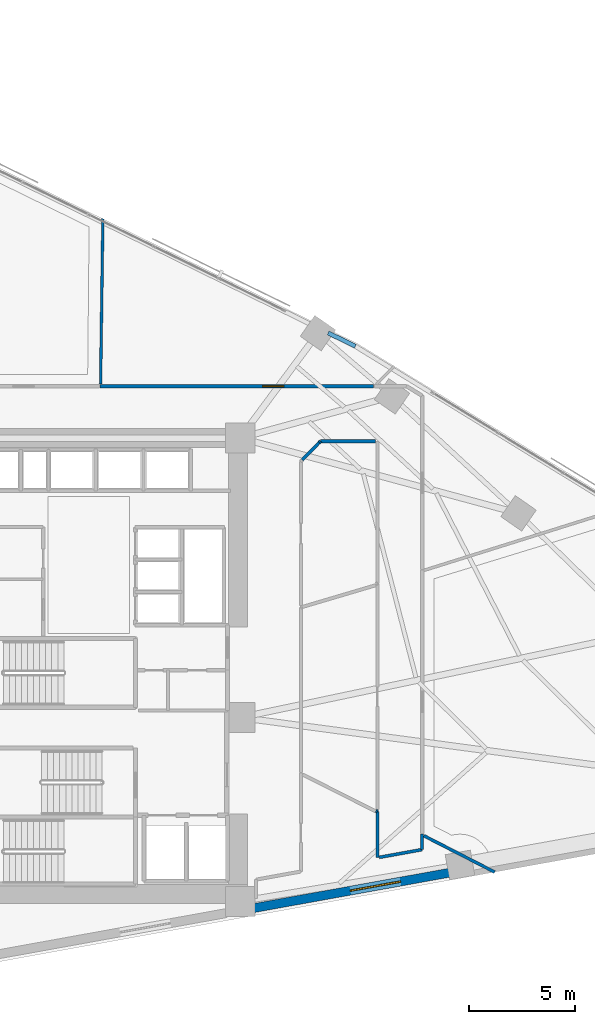
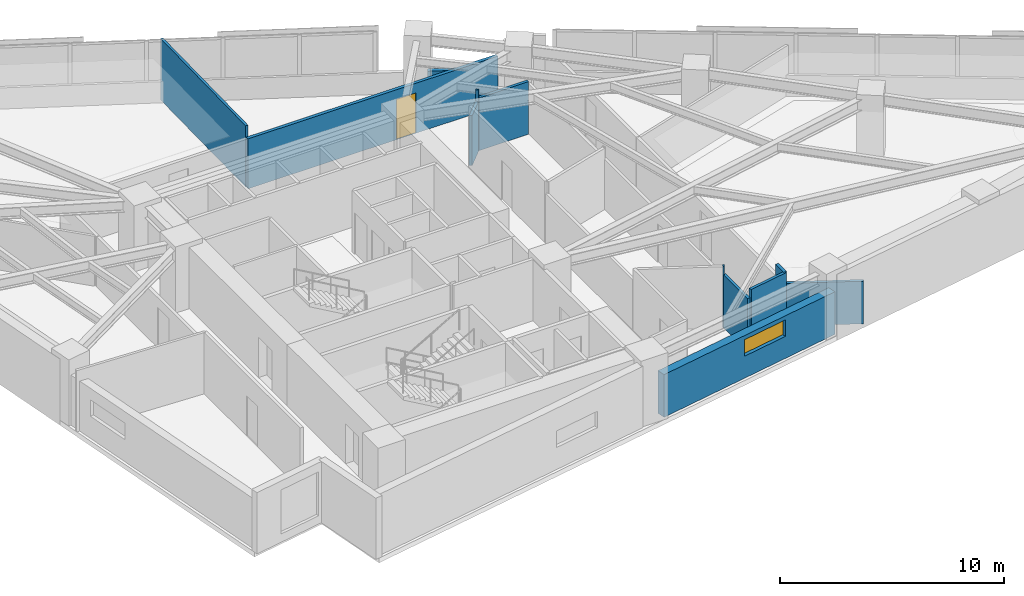
# One storey, part 15 of 19: 12 walls, 1 door, 1 window, 2 openings.
"""IFC4 building model written with IfcOpenShell, lengths in metres."""

from ifc_helpers import new_model, si_unit, direction, frame, frame_2d, origin, place, context, subcontext, project, spatial, rectangle, extrude, material, layer, layer_set, type_object, element, fill, save


model = new_model("IFC4")

# Units and contexts
model_context = context("Model", 3, precision=1e-05, world=origin(), true_north=direction((0.0, 1.0)))
body_context = subcontext(model_context, "Body", "Model", "MODEL_VIEW")
ifc_project = project(units=[si_unit("LENGTHUNIT", "METRE"), si_unit("AREAUNIT", "SQUARE_METRE"), si_unit("VOLUMEUNIT", "CUBIC_METRE"), si_unit("PLANEANGLEUNIT", "RADIAN"), si_unit("MASSUNIT", "GRAM", prefix="KILO")], contexts=[model_context])

# Site, building, storey
site_placement = place(None, origin())
site = spatial("IfcSite", under=ifc_project, at=site_placement, CompositionType="ELEMENT")
building_placement = place(site_placement, origin())
building = spatial("IfcBuilding", under=site, at=building_placement, Name="Narakoshi Arena Tower", CompositionType="ELEMENT")
storey_placement = place(building_placement, frame((0.0, 0.0, 117.300048828125)))
storey = spatial("IfcBuildingStorey", under=building, at=storey_placement, Name="L31", CompositionType="ELEMENT", Elevation=117.300048828125)

# Wall, opening, door
ifc_material_1 = material(Name="Gypsum plasterboard fire-rated partition")
ifc_layer_1 = layer(ifc_material_1, 0.1650390625)
ifc_layer_set_1 = layer_set([ifc_layer_1], Name="Gypsum plasterboard fire-rated partition")
wall_type_1 = type_object("IfcWallType", Name="WL-CORR-165", PredefinedType="PARTITIONING", material=ifc_layer_set_1)
wall_1_placement = place(storey_placement, frame((91.827880859375, 58.944091796875, 0.0), z_axis=(0.0, 0.0, 1.0), x_axis=(-1.0, 0.0, 0.0)))
wall_1 = element("IfcWall", 1, at=wall_1_placement, inside=storey, type_object=wall_type_1, Name="L31 Corridor Partition 07-1", PredefinedType="PARTITIONING", context=body_context, shape_type="SweptSolid", body=[
    extrude(rectangle(XDim=12.8876953125, YDim=0.1650390625, at=frame_2d((6.44384765625, 0.0))), origin(), (0.0, 0.0, 1.0), 2.724853515625),
])
opening_1_placement = place(wall_1_placement, frame((4.220703125, 0.0, 0.0)))
opening_1 = element("IfcOpeningElement", 2, at=opening_1_placement, cuts=wall_1, Name="Opening D-06", PredefinedType="OPENING", context=body_context, shape_type="SweptSolid", body=[
    extrude(rectangle(XDim=1.0, YDim=2.199951171875, at=frame_2d((0.5, 1.10009765625))), frame((0.0, 0.092529296875, 0.0), z_axis=(0.0, -1.0, 0.0), x_axis=(1.0, 0.0, 0.0)), (0.0, 0.0, 1.0), 0.18505859375),
])
ifc_material_2 = material(Name="Stained oak solid-core timber", Category="wood")
door_type = type_object("IfcDoorType", Name="DR-OFF-1000", OperationType="NOTDEFINED", PredefinedType="DOOR", material=ifc_material_2)
door_placement = place(opening_1_placement, frame((1.0, 0.0, 0.0), z_axis=(0.0, 0.0, 1.0), x_axis=(-1.0, 0.0, 0.0)))
door = element("IfcDoor", 3, at=door_placement, inside=storey, type_object=door_type, Name="DR-L31-021", OperationType="SINGLE_SWING_LEFT", OverallHeight=2.199951171875, OverallWidth=1.0, PredefinedType="DOOR", context=body_context, shape_type="SweptSolid", body=[
    extrude(rectangle(XDim=1.0, YDim=2.199951171875, at=frame_2d((0.5, 1.10009765625))), frame((0.0, 0.02490234375, 0.0), z_axis=(0.0, -1.0, 0.0), x_axis=(1.0, 0.0, 0.0)), (0.0, 0.0, 1.0), 0.050048828125),
])
fill(opening_1, door)

# Walls
ifc_material_3 = material(Name="Precast concrete C45/55", Category="concrete")
ifc_layer_2 = layer(ifc_material_3, 0.25)
ifc_layer_set_2 = layer_set([ifc_layer_2], Name="Precast concrete C45/55")
wall_type_2 = type_object("IfcWallType", Name="WL-PARA-250", PredefinedType="PARAPET", material=ifc_layer_set_2)
wall_2_placement = place(storey_placement, frame((90.96435546875, 60.821533203125, 0.0), z_axis=(0.0, 0.0, 1.0), x_axis=(-0.898000468284, 0.439994498787, 0.0)))
element("IfcWall", 4, at=wall_2_placement, inside=storey, type_object=wall_type_2, Name="L31 Hypotenuse Sill Upstand Parapet 2-01", PredefinedType="PARAPET", context=body_context, shape_type="SweptSolid", body=[
    extrude(rectangle(XDim=1.42333984375, YDim=0.199951171875, at=frame_2d((0.711669921875, 0.0))), origin(), (0.0, 0.0, 1.0), 1.14990234375),
])
ifc_layer_3 = layer(ifc_material_1, 0.125)
ifc_layer_set_3 = layer_set([ifc_layer_3], Name="Gypsum plasterboard fire-rated partition")
wall_type_3 = type_object("IfcWallType", Name="WL-PART-125", PredefinedType="PARTITIONING", material=ifc_layer_set_3)
wall_3_placement = place(storey_placement, frame((78.977294921875, 59.03857421875, 0.0), z_axis=(0.0, 0.0, 1.0), x_axis=(0.013992104015, 0.999902105721, 0.0)))
element("IfcWall", 5, at=wall_3_placement, inside=storey, type_object=wall_type_3, Name="L31 Inter-Room Partition 07-08", PredefinedType="PARTITIONING", context=body_context, shape_type="SweptSolid", body=[
    extrude(rectangle(XDim=7.781982421875, YDim=0.125, at=frame_2d((3.89111328125, 0.0))), origin(), (0.0, 0.0, 1.0), 3.33984375),
])

# Wall, opening, window
ifc_layer_4 = layer(ifc_material_3, 0.419921875)
ifc_layer_set_4 = layer_set([ifc_layer_4], Name="Precast concrete C45/55")
wall_type_4 = type_object("IfcWallType", Name="WL-POD-420", PredefinedType="SOLIDWALL", material=ifc_layer_set_4)
wall_4_placement = place(storey_placement, frame((86.10009765625, 34.3671875, 0.0), z_axis=(0.0, 0.0, 1.0), x_axis=(0.9840437071, 0.177926902172, 0.0)))
wall_4 = element("IfcWall", 6, at=wall_4_placement, inside=storey, type_object=wall_type_4, Name="L31 Architectural Concrete Facade Wall LEGA-2", PredefinedType="SOLIDWALL", context=body_context, shape_type="SweptSolid", body=[
    extrude(rectangle(XDim=9.997314453125, YDim=0.419921875, at=frame_2d((4.99853515625, 0.0))), origin(), (0.0, 0.0, 1.0), 2.324951171875),
])
opening_2_placement = place(wall_4_placement, frame((4.702392578125, 0.0, 1.199951171875)))
opening_2 = element("IfcOpeningElement", 7, at=opening_2_placement, cuts=wall_4, Name="Opening WN-01", PredefinedType="OPENING", context=body_context, shape_type="SweptSolid", body=[
    extrude(rectangle(XDim=2.39990234375, YDim=0.89990234375, at=frame_2d((1.199951171875, 0.449951171875))), frame((0.0, 0.219970703125, 0.0), z_axis=(0.0, -1.0, 0.0), x_axis=(1.0, 0.0, 0.0)), (0.0, 0.0, 1.0), 0.43994140625),
])
ifc_material_4 = material(Name="Bronze-tinted low-E laminated glass", Category="glass")
window_type = type_object("IfcWindowType", Name="WIN-SLT-24x09", PartitioningType="SINGLE_PANEL", PredefinedType="WINDOW", material=ifc_material_4)
window_placement = place(opening_2_placement, origin())
window = element("IfcWindow", 8, at=window_placement, inside=storey, type_object=window_type, Name="L31 LEGA2 Horizontal Slot Window 1", OverallHeight=0.89990234375, OverallWidth=2.39990234375, PartitioningType="SINGLE_PANEL", PredefinedType="WINDOW", context=body_context, shape_type="SweptSolid", body=[
    extrude(rectangle(XDim=2.39990234375, YDim=0.89990234375, at=frame_2d((1.199951171875, 0.449951171875))), frame((0.0, 0.030029296875, 0.0), z_axis=(0.0, -1.0, 0.0), x_axis=(1.0, 0.0, 0.0)), (0.0, 0.0, 1.0), 0.06005859375),
])
fill(opening_2, window)

# Walls
ifc_material_5 = material(Name="Moisture-resistant cement-board partition")
ifc_layer_5 = layer(ifc_material_5, 0.14501953125)
ifc_layer_set_5 = layer_set([ifc_layer_5], Name="Moisture-resistant cement-board partition")
wall_type_5 = type_object("IfcWallType", Name="WL-WET-145", PredefinedType="PARTITIONING", material=ifc_layer_set_5)
wall_5_placement = place(storey_placement, frame((92.0048828125, 38.9306640625, 0.0), z_axis=(0.0, 0.0, 1.0), x_axis=(0.0, -1.0, 0.0)))
element("IfcWall", 9, at=wall_5_placement, inside=storey, type_object=wall_type_5, Name="L31 Corridor Partition 02-2", PredefinedType="PARTITIONING", context=body_context, shape_type="SweptSolid", body=[
    extrude(rectangle(XDim=2.174560546875, YDim=0.14501953125, at=frame_2d((1.08740234375, 0.0))), origin(), (0.0, 0.0, 1.0), 2.875),
])
wall_6_placement = place(storey_placement, frame((92.089599609375, 36.771240234375, 0.0), z_axis=(0.0, 0.0, 1.0), x_axis=(0.984035419871, 0.177972729481, 0.0)))
element("IfcWall", 10, at=wall_6_placement, inside=storey, type_object=wall_type_5, Name="L31 Corridor Partition 02-4", PredefinedType="PARTITIONING", context=body_context, shape_type="SweptSolid", body=[
    extrude(rectangle(XDim=2.048095703125, YDim=0.14501953125, at=frame_2d((1.02392578125, 0.0))), origin(), (0.0, 0.0, 1.0), 3.33984375),
])
wall_7_placement = place(storey_placement, frame((94.10498046875, 37.1357421875, 0.0), z_axis=(0.0, 0.0, 1.0), x_axis=(0.0, 1.0, 0.0)))
element("IfcWall", 11, at=wall_7_placement, inside=storey, type_object=wall_type_5, Name="L31 Corridor Partition 02-5", PredefinedType="PARTITIONING", context=body_context, shape_type="SweptSolid", body=[
    extrude(rectangle(XDim=0.736572265625, YDim=0.14501953125, at=frame_2d((0.3681640625, 0.0))), origin(), (0.0, 0.0, 1.0), 3.33984375),
])
wall_8_placement = place(storey_placement, frame((91.945068359375, 38.9609375, 0.0), z_axis=(0.0, 0.0, 1.0), x_axis=(0.892231458259, -0.451578370711, 0.0)))
element("IfcWall", 12, at=wall_8_placement, inside=storey, type_object=wall_type_5, Name="L31 Corridor Partition 02-6", PredefinedType="PARTITIONING", context=body_context, shape_type="SweptSolid", body=[
    extrude(rectangle(XDim=0.067138671875, YDim=0.14501953125, at=frame_2d((0.03369140625, 0.0))), origin(), (0.0, 0.0, 1.0), 3.33984375),
])
wall_9_placement = place(storey_placement, frame((94.189453125, 37.78857421875, 0.0), z_axis=(0.0, 0.0, 1.0), x_axis=(0.889675011472, -0.456594320991, 0.0)))
element("IfcWall", 13, at=wall_9_placement, inside=storey, type_object=wall_type_5, Name="L31 Inter-Room Partition 02-04", PredefinedType="PARTITIONING", context=body_context, shape_type="SweptSolid", body=[
    extrude(rectangle(XDim=3.748291015625, YDim=0.14501953125, at=frame_2d((1.8740234375, 0.0))), origin(), (0.0, 0.0, 1.0), 2.324951171875),
])
wall_10_placement = place(storey_placement, frame((89.32568359375, 56.35009765625, 0.0), z_axis=(0.0, 0.0, 1.0), x_axis=(1.0, 0.0, 0.0)))
element("IfcWall", 14, at=wall_10_placement, inside=storey, type_object=wall_type_5, Name="L31 Corridor Partition 06-3", PredefinedType="PARTITIONING", context=body_context, shape_type="SweptSolid", body=[
    extrude(rectangle(XDim=2.5947265625, YDim=0.14501953125, at=frame_2d((1.29736328125, 0.0))), origin(), (0.0, 0.0, 1.0), 2.875),
])
wall_11_placement = place(storey_placement, frame((89.266845703125, 56.2900390625, 0.0), z_axis=(0.0, 0.0, 1.0), x_axis=(0.69981007543, 0.714328956663, 0.0)))
element("IfcWall", 15, at=wall_11_placement, inside=storey, type_object=wall_type_5, Name="L31 Corridor Partition 06-5", PredefinedType="PARTITIONING", context=body_context, shape_type="SweptSolid", body=[
    extrude(rectangle(XDim=0.083984375, YDim=0.14501953125, at=frame_2d((0.0419921875, 0.0))), origin(), (0.0, 0.0, 1.0), 3.33984375),
])
wall_12_placement = place(storey_placement, frame((88.4599609375, 55.464599609375, 0.0), z_axis=(0.0, 0.0, 1.0), x_axis=(0.699023914428, 0.715098291885, 0.0)))
element("IfcWall", 16, at=wall_12_placement, inside=storey, type_object=wall_type_5, Name="L31 Room Enclosure Partition 06-1", PredefinedType="PARTITIONING", context=body_context, shape_type="SweptSolid", body=[
    extrude(rectangle(XDim=1.154296875, YDim=0.14501953125, at=frame_2d((0.5771484375, 0.0))), origin(), (0.0, 0.0, 1.0), 2.724853515625),
])

save(model, "model.ifc")
